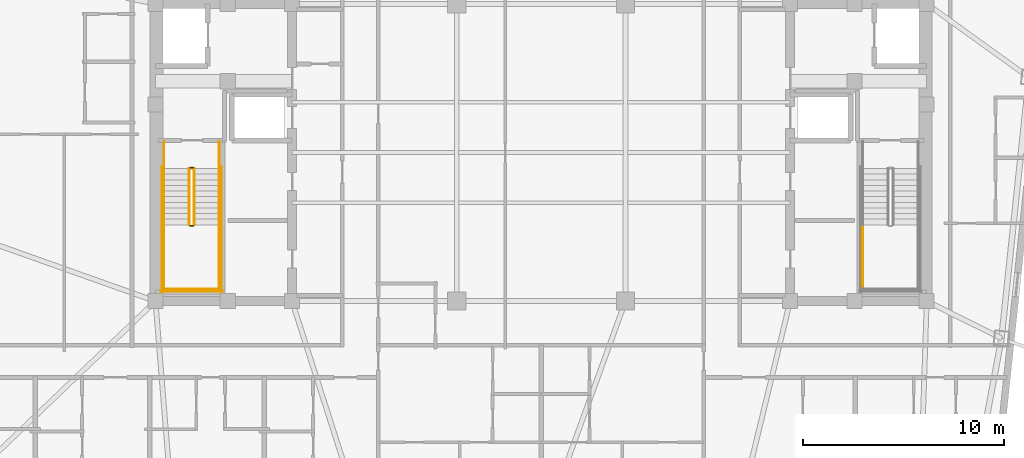
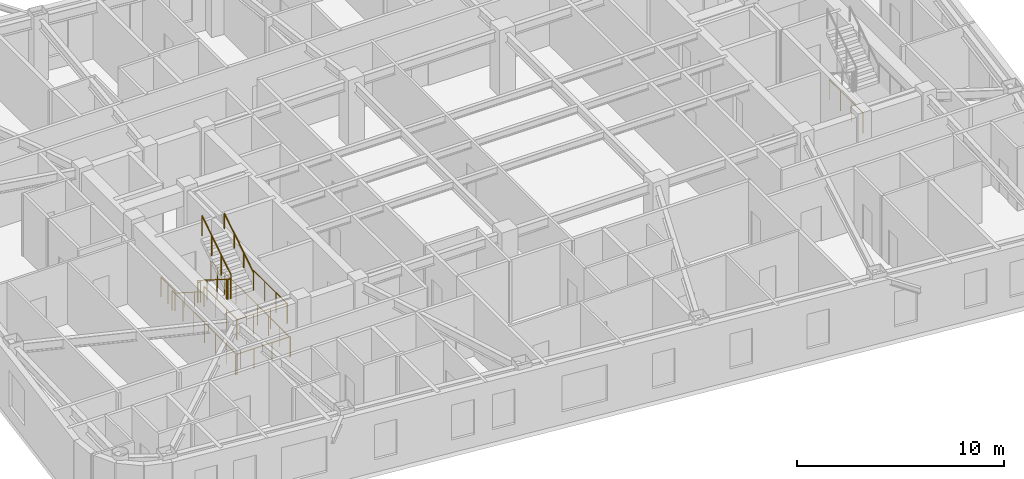
# One storey, part 10 of 11: 15 railings.
"""IFC4 building model written with IfcOpenShell, lengths in metres."""

from ifc_helpers import new_model, si_unit, direction, frame, origin, origin_2d, place, context, subcontext, project, spatial, circle, extrude, material, type_object, element, save


model = new_model("IFC4")

# Units and contexts
model_context = context("Model", 3, precision=1e-05, world=origin(), true_north=direction((0.0, 1.0)))
body_context = subcontext(model_context, "Body", "Model", "MODEL_VIEW")
ifc_project = project(units=[si_unit("LENGTHUNIT", "METRE"), si_unit("AREAUNIT", "SQUARE_METRE"), si_unit("VOLUMEUNIT", "CUBIC_METRE"), si_unit("PLANEANGLEUNIT", "RADIAN"), si_unit("MASSUNIT", "GRAM", prefix="KILO")], contexts=[model_context])

# Site, building, storey
site_placement = place(None, origin())
site = spatial("IfcSite", under=ifc_project, at=site_placement, CompositionType="ELEMENT")
building_placement = place(site_placement, origin())
building = spatial("IfcBuilding", under=site, at=building_placement, Name="Voryun Gate Residences", CompositionType="ELEMENT")
storey_placement = place(building_placement, frame((0.0, 0.0, 287.300048828125)))
storey = spatial("IfcBuildingStorey", under=building, at=storey_placement, Name="L71", CompositionType="ELEMENT", Elevation=287.300048828125)

# Railings
ifc_material_1 = material(Name="Painted steel", Category="steel")
railing_type_1 = type_object("IfcRailingType", Name="RAIL_STAIR_GUARD_1200", PredefinedType="GUARDRAIL", material=ifc_material_1)
railing_1_placement = place(storey_placement, frame((-17.52490234375, -0.800048828125, 0.17724609375)))
element("IfcRailing", 1, at=railing_1_placement, inside=storey, type_object=railing_type_1, Name="L71 ST-W1 stair guard 1", PredefinedType="GUARDRAIL", context=body_context, shape_type="SweptSolid", body=[
    extrude(circle(Radius=0.02392578125, at=origin_2d()), frame((0.0, 0.0, 1.17578125), z_axis=(0.0, -0.844908973607, 0.534910110503), x_axis=(1.0, 0.0, 0.0)), (0.0, 0.0, 1.0), 3.31396484375),
    extrude(circle(Radius=0.02099609375, at=origin_2d()), origin(), (0.0, 0.0, 1.0), 1.15185546875),
    extrude(circle(Radius=0.02099609375, at=origin_2d()), frame((0.0, -0.933349609375, 0.5908203125)), (0.0, 0.0, 1.0), 1.15185546875),
    extrude(circle(Radius=0.02099609375, at=origin_2d()), frame((0.0, -1.86669921875, 1.181884765625)), (0.0, 0.0, 1.0), 1.15185546875),
    extrude(circle(Radius=0.02099609375, at=origin_2d()), frame((0.0, -2.800048828125, 1.772705078125)), (0.0, 0.0, 1.0), 1.15185546875),
])
railing_2_placement = place(storey_placement, frame((-17.47509765625, -3.64990234375, 1.949951171875)))
element("IfcRailing", 2, at=railing_2_placement, inside=storey, type_object=railing_type_1, Name="L71 ST-W1 stair guard 2", PredefinedType="GUARDRAIL", context=body_context, shape_type="SweptSolid", body=[
    extrude(circle(Radius=0.02392578125, at=origin_2d()), frame((0.0, 0.0, 1.17578125), z_axis=(1.0, 0.0, 0.0), x_axis=(0.0, 1.0, 0.0)), (0.0, 0.0, 1.0), 0.150146484375),
    extrude(circle(Radius=0.02099609375, at=origin_2d()), origin(), (0.0, 0.0, 1.0), 1.15185546875),
    extrude(circle(Radius=0.02099609375, at=origin_2d()), frame((0.150146484375, 0.0, 0.0)), (0.0, 0.0, 1.0), 1.15185546875),
])
for number, where, name in (
    (3, (-18.77490234375, -3.60009765625, 1.949951171875), "L71 ST-W1 stair guard 3"),
    (4, (-16.02490234375, -3.60009765625, 1.949951171875), "L71 ST-W1 stair guard 4"),
):
    element("IfcRailing", number, at=place(storey_placement, frame(where)), inside=storey, type_object=railing_type_1, Name=name, PredefinedType="GUARDRAIL", context=body_context, shape_type="SweptSolid", body=[
        extrude(circle(Radius=0.02392578125, at=origin_2d()), frame((0.0, 0.0, 1.17578125), z_axis=(0.0, -1.0, 0.0), x_axis=(1.0, 0.0, 0.0)), (0.0, 0.0, 1.0), 3.25),
        extrude(circle(Radius=0.02099609375, at=origin_2d()), origin(), (0.0, 0.0, 1.0), 1.15185546875),
        extrude(circle(Radius=0.02099609375, at=origin_2d()), frame((0.0, -1.083251953125, 0.0)), (0.0, 0.0, 1.0), 1.15185546875),
        extrude(circle(Radius=0.02099609375, at=origin_2d()), frame((0.0, -2.166748046875, 0.0)), (0.0, 0.0, 1.0), 1.15185546875),
        extrude(circle(Radius=0.02099609375, at=origin_2d()), frame((0.0, -3.25, 0.0)), (0.0, 0.0, 1.0), 1.15185546875),
    ])
railing_3_placement = place(storey_placement, frame((-18.824951171875, -6.800048828125, 1.949951171875)))
element("IfcRailing", 5, at=railing_3_placement, inside=storey, type_object=railing_type_1, Name="L71 ST-W1 stair guard 5", PredefinedType="GUARDRAIL", context=body_context, shape_type="SweptSolid", body=[
    extrude(circle(Radius=0.02392578125, at=origin_2d()), frame((0.0, 0.0, 1.17578125), z_axis=(1.0, 0.0, 0.0), x_axis=(0.0, 1.0, 0.0)), (0.0, 0.0, 1.0), 2.849853515625),
    extrude(circle(Radius=0.02099609375, at=origin_2d()), origin(), (0.0, 0.0, 1.0), 1.15185546875),
    extrude(circle(Radius=0.02099609375, at=origin_2d()), frame((0.949951171875, 0.0, 0.0)), (0.0, 0.0, 1.0), 1.15185546875),
    extrude(circle(Radius=0.02099609375, at=origin_2d()), frame((1.89990234375, 0.0, 0.0)), (0.0, 0.0, 1.0), 1.15185546875),
    extrude(circle(Radius=0.02099609375, at=origin_2d()), frame((2.849853515625, 0.0, 0.0)), (0.0, 0.0, 1.0), 1.15185546875),
])
railing_4_placement = place(storey_placement, frame((-17.27490234375, -3.60009765625, 2.127197265625)))
element("IfcRailing", 6, at=railing_4_placement, inside=storey, type_object=railing_type_1, Name="L71 ST-W1 stair guard 6", PredefinedType="GUARDRAIL", context=body_context, shape_type="SweptSolid", body=[
    extrude(circle(Radius=0.02392578125, at=origin_2d()), frame((0.0, 0.0, 1.17578125), z_axis=(0.0, 0.844908973607, 0.534910110503), x_axis=(-1.0, 0.0, 0.0)), (0.0, 0.0, 1.0), 3.31396484375),
    extrude(circle(Radius=0.02099609375, at=origin_2d()), origin(), (0.0, 0.0, 1.0), 1.15185546875),
    extrude(circle(Radius=0.02099609375, at=origin_2d()), frame((0.0, 0.933349609375, 0.5908203125)), (0.0, 0.0, 1.0), 1.15185546875),
    extrude(circle(Radius=0.02099609375, at=origin_2d()), frame((0.0, 1.86669921875, 1.181884765625)), (0.0, 0.0, 1.0), 1.15185546875),
    extrude(circle(Radius=0.02099609375, at=origin_2d()), frame((0.0, 2.800048828125, 1.772705078125)), (0.0, 0.0, 1.0), 1.15185546875),
])
railing_5_placement = place(storey_placement, frame((-17.47509765625, -0.75, 0.0)))
element("IfcRailing", 7, at=railing_5_placement, inside=storey, type_object=railing_type_1, Name="L71 ST-W1 stair guard 7", PredefinedType="GUARDRAIL", context=body_context, shape_type="SweptSolid", body=[
    extrude(circle(Radius=0.02392578125, at=origin_2d()), frame((0.0, 0.0, 1.17578125), z_axis=(1.0, 0.0, 0.0), x_axis=(0.0, 1.0, 0.0)), (0.0, 0.0, 1.0), 0.150146484375),
    extrude(circle(Radius=0.02099609375, at=origin_2d()), origin(), (0.0, 0.0, 1.0), 1.15185546875),
    extrude(circle(Radius=0.02099609375, at=origin_2d()), frame((0.150146484375, 0.0, 0.0)), (0.0, 0.0, 1.0), 1.15185546875),
])
for number, where, name in (
    (8, (-18.77490234375, 0.550048828125, 0.0), "L71 ST-W1 stair guard 8"),
    (9, (-16.02490234375, 0.550048828125, 0.0), "L71 ST-W1 stair guard 9"),
):
    element("IfcRailing", number, at=place(storey_placement, frame(where)), inside=storey, type_object=railing_type_1, Name=name, PredefinedType="GUARDRAIL", context=body_context, shape_type="SweptSolid", body=[
        extrude(circle(Radius=0.02392578125, at=origin_2d()), frame((0.0, 0.0, 1.17578125), z_axis=(0.0, -1.0, 0.0), x_axis=(1.0, 0.0, 0.0)), (0.0, 0.0, 1.0), 1.35009765625),
        extrude(circle(Radius=0.02099609375, at=origin_2d()), origin(), (0.0, 0.0, 1.0), 1.15185546875),
        extrude(circle(Radius=0.02099609375, at=origin_2d()), frame((0.0, -0.675048828125, 0.0)), (0.0, 0.0, 1.0), 1.15185546875),
        extrude(circle(Radius=0.02099609375, at=origin_2d()), frame((0.0, -1.35009765625, 0.0)), (0.0, 0.0, 1.0), 1.15185546875),
    ])
for number, where, name in (
    (10, (-18.875, -0.699951171875, 0.0), "L71 ST-W1 stair guard 10"),
    (11, (-15.925048828125, -0.699951171875, 0.0), "L71 ST-W1 stair guard 11"),
):
    element("IfcRailing", number, at=place(storey_placement, frame(where)), inside=storey, type_object=railing_type_1, Name=name, PredefinedType="GUARDRAIL", context=body_context, shape_type="SweptSolid", body=[
        extrude(circle(Radius=0.02392578125, at=origin_2d()), frame((0.0, 0.0, 1.17578125), z_axis=(0.0, -1.0, 0.0), x_axis=(1.0, 0.0, 0.0)), (0.0, 0.0, 1.0), 6.25),
        extrude(circle(Radius=0.02099609375, at=origin_2d()), origin(), (0.0, 0.0, 1.0), 1.15185546875),
        extrude(circle(Radius=0.02099609375, at=origin_2d()), frame((0.0, -1.041748046875, 0.0)), (0.0, 0.0, 1.0), 1.15185546875),
        extrude(circle(Radius=0.02099609375, at=origin_2d()), frame((0.0, -2.083251953125, 0.0)), (0.0, 0.0, 1.0), 1.15185546875),
        extrude(circle(Radius=0.02099609375, at=origin_2d()), frame((0.0, -3.125, 0.0)), (0.0, 0.0, 1.0), 1.15185546875),
        extrude(circle(Radius=0.02099609375, at=origin_2d()), frame((0.0, -4.166748046875, 0.0)), (0.0, 0.0, 1.0), 1.15185546875),
        extrude(circle(Radius=0.02099609375, at=origin_2d()), frame((0.0, -5.208251953125, 0.0)), (0.0, 0.0, 1.0), 1.15185546875),
        extrude(circle(Radius=0.02099609375, at=origin_2d()), frame((0.0, -6.25, 0.0)), (0.0, 0.0, 1.0), 1.15185546875),
    ])
railing_6_placement = place(storey_placement, frame((-18.925048828125, -6.89990234375, 0.0)))
element("IfcRailing", 12, at=railing_6_placement, inside=storey, type_object=railing_type_1, Name="L71 ST-W1 stair guard 12", PredefinedType="GUARDRAIL", context=body_context, shape_type="SweptSolid", body=[
    extrude(circle(Radius=0.02392578125, at=origin_2d()), frame((0.0, 0.0, 1.17578125), z_axis=(1.0, 0.0, 0.0), x_axis=(0.0, 1.0, 0.0)), (0.0, 0.0, 1.0), 3.050048828125),
    extrude(circle(Radius=0.02099609375, at=origin_2d()), origin(), (0.0, 0.0, 1.0), 1.15185546875),
    extrude(circle(Radius=0.02099609375, at=origin_2d()), frame((1.0166015625, 0.0, 0.0)), (0.0, 0.0, 1.0), 1.15185546875),
    extrude(circle(Radius=0.02099609375, at=origin_2d()), frame((2.033447265625, 0.0, 0.0)), (0.0, 0.0, 1.0), 1.15185546875),
    extrude(circle(Radius=0.02099609375, at=origin_2d()), frame((3.050048828125, 0.0, 0.0)), (0.0, 0.0, 1.0), 1.15185546875),
])
railing_7_placement = place(storey_placement, frame((16.02490234375, -3.60009765625, 1.949951171875)))
element("IfcRailing", 13, at=railing_7_placement, inside=storey, type_object=railing_type_1, Name="L71 ST-E1 stair guard 3", PredefinedType="GUARDRAIL", context=body_context, shape_type="SweptSolid", body=[
    extrude(circle(Radius=0.02392578125, at=origin_2d()), frame((0.0, 0.0, 1.17578125), z_axis=(0.0, -1.0, 0.0), x_axis=(1.0, 0.0, 0.0)), (0.0, 0.0, 1.0), 3.25),
    extrude(circle(Radius=0.02099609375, at=origin_2d()), origin(), (0.0, 0.0, 1.0), 1.15185546875),
    extrude(circle(Radius=0.02099609375, at=origin_2d()), frame((0.0, -1.083251953125, 0.0)), (0.0, 0.0, 1.0), 1.15185546875),
    extrude(circle(Radius=0.02099609375, at=origin_2d()), frame((0.0, -2.166748046875, 0.0)), (0.0, 0.0, 1.0), 1.15185546875),
    extrude(circle(Radius=0.02099609375, at=origin_2d()), frame((0.0, -3.25, 0.0)), (0.0, 0.0, 1.0), 1.15185546875),
])
ifc_material_2 = material(Name="Painted steel", Category="steel")
railing_type_2 = type_object("IfcRailingType", Name="RAIL_STAIR_HANDRAIL_900", PredefinedType="HANDRAIL", material=ifc_material_2)
railing_8_placement = place(storey_placement, frame((-18.77490234375, -0.800048828125, 0.17724609375)))
element("IfcRailing", 14, at=railing_8_placement, inside=storey, type_object=railing_type_2, Name="L71 ST-W1 stair handrail 1", PredefinedType="HANDRAIL", context=body_context, shape_type="SweptSolid", body=[
    extrude(circle(Radius=0.02392578125, at=origin_2d()), frame((0.0, 0.0, 0.8759765625), z_axis=(0.0, -0.844908973607, 0.534910110503), x_axis=(1.0, 0.0, 0.0)), (0.0, 0.0, 1.0), 3.31396484375),
    extrude(circle(Radius=0.02099609375, at=origin_2d()), origin(), (0.0, 0.0, 1.0), 0.851806640625),
    extrude(circle(Radius=0.02099609375, at=origin_2d()), frame((0.0, -0.933349609375, 0.5908203125)), (0.0, 0.0, 1.0), 0.851806640625),
    extrude(circle(Radius=0.02099609375, at=origin_2d()), frame((0.0, -1.86669921875, 1.181884765625)), (0.0, 0.0, 1.0), 0.851806640625),
    extrude(circle(Radius=0.02099609375, at=origin_2d()), frame((0.0, -2.800048828125, 1.772705078125)), (0.0, 0.0, 1.0), 0.851806640625),
])
railing_9_placement = place(storey_placement, frame((-16.02490234375, -3.60009765625, 2.127197265625)))
element("IfcRailing", 15, at=railing_9_placement, inside=storey, type_object=railing_type_2, Name="L71 ST-W1 stair handrail 2", PredefinedType="HANDRAIL", context=body_context, shape_type="SweptSolid", body=[
    extrude(circle(Radius=0.02392578125, at=origin_2d()), frame((0.0, 0.0, 0.8759765625), z_axis=(0.0, 0.844908973607, 0.534910110503), x_axis=(-1.0, 0.0, 0.0)), (0.0, 0.0, 1.0), 3.31396484375),
    extrude(circle(Radius=0.02099609375, at=origin_2d()), origin(), (0.0, 0.0, 1.0), 0.851806640625),
    extrude(circle(Radius=0.02099609375, at=origin_2d()), frame((0.0, 0.933349609375, 0.5908203125)), (0.0, 0.0, 1.0), 0.851806640625),
    extrude(circle(Radius=0.02099609375, at=origin_2d()), frame((0.0, 1.86669921875, 1.181884765625)), (0.0, 0.0, 1.0), 0.851806640625),
    extrude(circle(Radius=0.02099609375, at=origin_2d()), frame((0.0, 2.800048828125, 1.772705078125)), (0.0, 0.0, 1.0), 0.851806640625),
])

save(model, "model.ifc")
